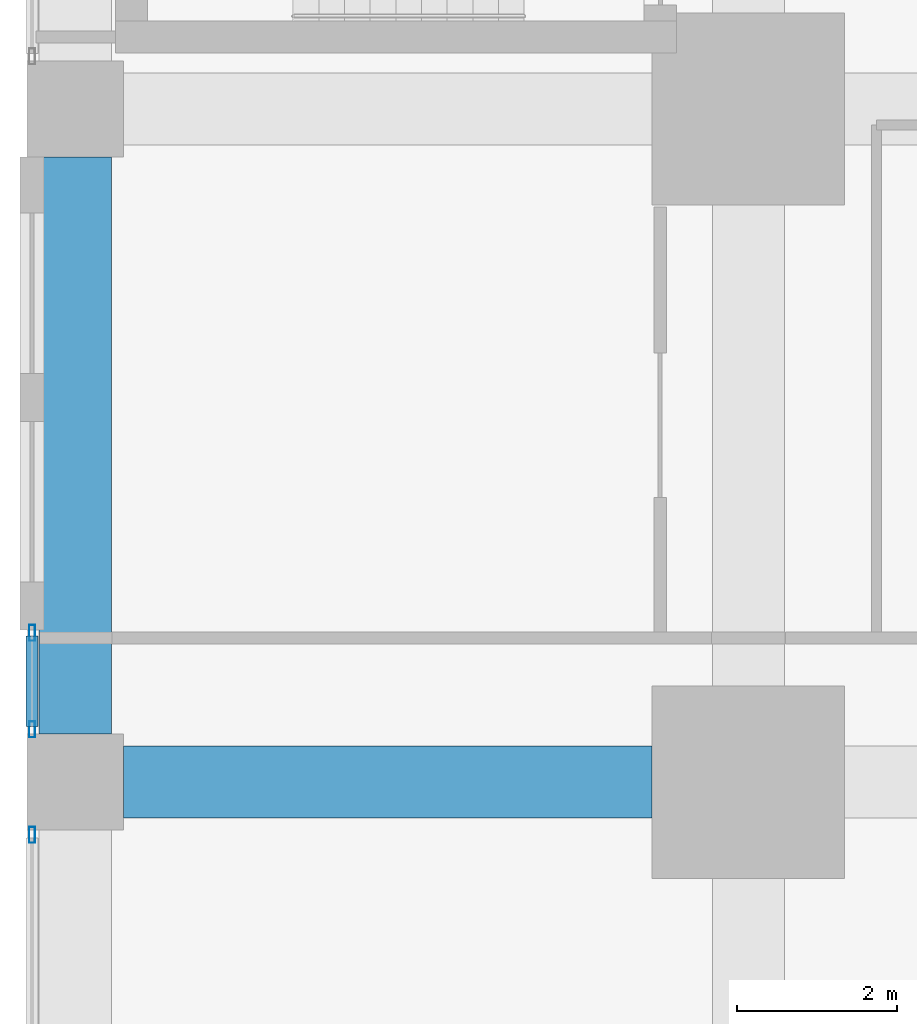
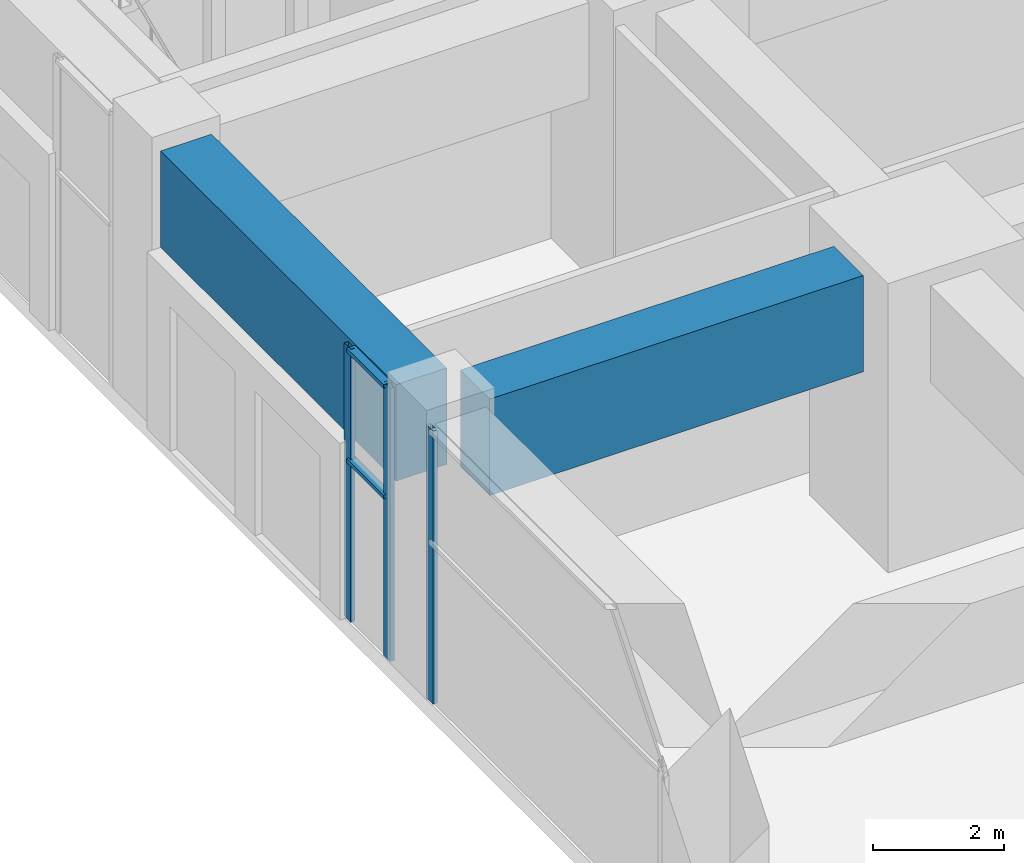
# One storey, part 9 of 81: 5 members, 2 beams, 2 elements without a shape of their own.
"""IFC4 building model written with IfcOpenShell, lengths in metres."""

from ifc_helpers import new_model, si_unit, direction, frame, origin, origin_2d, place, context, subcontext, project, spatial, rectangle, hollow_rectangle, extrude, material, material_profile, profile_set, type_object, element, aggregate, save


model = new_model("IFC4")

# Units and contexts
model_context = context("Model", 3, precision=1e-05, world=origin(), true_north=direction((0.0, 1.0)))
body_context = subcontext(model_context, "Body", "Model", "MODEL_VIEW")
ifc_project = project(units=[si_unit("LENGTHUNIT", "METRE"), si_unit("AREAUNIT", "SQUARE_METRE"), si_unit("VOLUMEUNIT", "CUBIC_METRE"), si_unit("PLANEANGLEUNIT", "RADIAN"), si_unit("MASSUNIT", "GRAM", prefix="KILO")], contexts=[model_context])

# Site, building, storey
site_placement = place(None, origin())
site = spatial("IfcSite", under=ifc_project, at=site_placement, CompositionType="ELEMENT")
building_placement = place(site_placement, origin())
building = spatial("IfcBuilding", under=site, at=building_placement, Name="Rekha Terrace Tower", CompositionType="ELEMENT")
storey_placement = place(building_placement, origin())
storey = spatial("IfcBuildingStorey", under=building, at=storey_placement, Name="L00", CompositionType="ELEMENT", Elevation=0.0)

# Curtain wall, members
ifc_material_1 = material(Name="Aluminium framing", Category="aluminium")
curtain_wall_type = type_object("IfcCurtainWallType", Name="CW4 podium shopfront glazing", PredefinedType="USERDEFINED", material=ifc_material_1)
curtain_wall_1_placement = place(storey_placement, origin())
curtain_wall_1 = element("IfcCurtainWall", 1, at=curtain_wall_1_placement, inside=storey, type_object=curtain_wall_type, Name="CW4 shopfront curtain wall", ObjectType="SHOPFRONT CURTAIN WALL", PredefinedType="USERDEFINED")
ifc_material_2 = material(Name="Aluminium mullion section", Category="aluminium")
ifc_material_profile_1 = material_profile(ifc_material_2, hollow_rectangle(XDim=0.074951171875, YDim=0.199951171875, WallThickness=0.00390625, at=origin_2d()), Name="AL RHS 75x200")
ifc_profile_set_1 = profile_set([ifc_material_profile_1], Name="Aluminium mullion section")
member_type_1 = type_object("IfcMemberType", Name="CW4 mullion RHS 75 x 200", PredefinedType="MULLION", material=ifc_profile_set_1)
member_1_placement = place(storey_placement, frame((-0.5400390625, 18.66259765625, 0.0), z_axis=(0.0, 0.0, 1.0), x_axis=(1.0, 0.0, 0.0)))
member_1 = element("IfcMember", 2, at=member_1_placement, type_object=member_type_1, Name="CW4 mullion 1", PredefinedType="MULLION", context=body_context, shape_type="SweptSolid", body=[
    extrude(hollow_rectangle(XDim=0.074951171875, YDim=0.199951171875, WallThickness=0.00390625, at=origin_2d()), origin(), (0.0, 0.0, 1.0), 5.10009765625),
])
member_2_placement = place(storey_placement, frame((-0.5400390625, 17.45751953125, 0.0), z_axis=(0.0, 0.0, 1.0), x_axis=(1.0, 0.0, 0.0)))
member_2 = element("IfcMember", 3, at=member_2_placement, type_object=member_type_1, Name="CW4 mullion 2", PredefinedType="MULLION", context=body_context, shape_type="SweptSolid", body=[
    extrude(hollow_rectangle(XDim=0.074951171875, YDim=0.199951171875, WallThickness=0.00390625, at=origin_2d()), origin(), (0.0, 0.0, 1.0), 5.10009765625),
])

# Curtain wall, member
curtain_wall_2_placement = place(storey_placement, origin())
curtain_wall_2 = element("IfcCurtainWall", 4, at=curtain_wall_2_placement, inside=storey, type_object=curtain_wall_type, Name="CW4 shopfront curtain wall", ObjectType="SHOPFRONT CURTAIN WALL", PredefinedType="USERDEFINED")
member_3_placement = place(storey_placement, frame((-0.5400390625, 16.142578125, 0.0), z_axis=(0.0, 0.0, 1.0), x_axis=(1.0, 0.0, 0.0)))
member_3 = element("IfcMember", 5, at=member_3_placement, type_object=member_type_1, Name="CW4 mullion 1", PredefinedType="MULLION", context=body_context, shape_type="SweptSolid", body=[
    extrude(hollow_rectangle(XDim=0.074951171875, YDim=0.199951171875, WallThickness=0.00390625, at=origin_2d()), origin(), (0.0, 0.0, 1.0), 5.10009765625),
])
aggregate(curtain_wall_2, [member_3])

# Member
ifc_material_3 = material(Name="Aluminium transom section", Category="aluminium")
ifc_material_profile_2 = material_profile(ifc_material_3, hollow_rectangle(XDim=0.14990234375, YDim=0.074951171875, WallThickness=0.0029296875, at=origin_2d()), Name="AL RHS 150x75")
ifc_profile_set_2 = profile_set([ifc_material_profile_2], Name="Aluminium transom section")
member_type_2 = type_object("IfcMemberType", Name="CW4 transom RHS 75 x 150", PredefinedType="USERDEFINED", material=ifc_profile_set_2)
member_4_placement = place(storey_placement, frame((-0.5400390625, 18.625, 3.0), z_axis=(0.0, -1.0, 0.0), x_axis=(1.0, 0.0, 0.0)))
member_4 = element("IfcMember", 6, at=member_4_placement, type_object=member_type_2, Name="CW4 transom 1.2", ObjectType="TRANSOM", PredefinedType="USERDEFINED", context=body_context, shape_type="SweptSolid", body=[
    extrude(hollow_rectangle(XDim=0.14990234375, YDim=0.074951171875, WallThickness=0.0029296875, at=origin_2d()), origin(), (0.0, 0.0, 1.0), 1.1298828125),
])

member_5_placement = place(storey_placement, frame((-0.5400390625, 18.625, 5.0625), z_axis=(0.0, -1.0, 0.0), x_axis=(1.0, 0.0, 0.0)))
member_5 = element("IfcMember", 7, at=member_5_placement, type_object=member_type_2, Name="CW4 transom 1.3", ObjectType="TRANSOM", PredefinedType="USERDEFINED", context=body_context, shape_type="SweptSolid", body=[
    extrude(hollow_rectangle(XDim=0.14990234375, YDim=0.074951171875, WallThickness=0.0029296875, at=origin_2d()), origin(), (0.0, 0.0, 1.0), 1.1298828125),
])

aggregate(curtain_wall_1, [member_1, member_2, member_4, member_5])

# Beams
ifc_material_4 = material(Name="Concrete M60", Category="concrete")
ifc_material_profile_3 = material_profile(ifc_material_4, rectangle(XDim=0.89990234375, YDim=1.800048828125, at=origin_2d()), Name="RC 900x1800")
ifc_profile_set_3 = profile_set([ifc_material_profile_3], Name="Concrete M60")
beam_type = type_object("IfcBeamType", Name="G1 900x1800 podium floor beam", PredefinedType="BEAM", material=ifc_profile_set_3)
beam_1_placement = place(storey_placement, frame((0.60009765625, 16.800048828125, 4.199951171875), z_axis=(1.0, 0.0, 0.0), x_axis=(0.0, 1.0, 0.0)))
element("IfcBeam", 8, at=beam_1_placement, inside=storey, type_object=beam_type, Name="Beam G1 1C-2C under L01", PredefinedType="BEAM", context=body_context, shape_type="SweptSolid", body=[
    extrude(rectangle(XDim=0.89990234375, YDim=1.800048828125, at=origin_2d()), origin(), (0.0, 0.0, 1.0), 6.599853515625),
])
beam_2_placement = place(storey_placement, frame((0.0, 17.39990234375, 4.199951171875), z_axis=(0.0, 1.0, 0.0), x_axis=(-1.0, 0.0, 0.0)))
element("IfcBeam", 9, at=beam_2_placement, inside=storey, type_object=beam_type, Name="Beam G1 1C-1D under L01", PredefinedType="BEAM", context=body_context, shape_type="SweptSolid", body=[
    extrude(rectangle(XDim=0.89990234375, YDim=1.800048828125, at=origin_2d()), origin(), (0.0, 0.0, 1.0), 7.2001953125),
])

save(model, "model.ifc")
